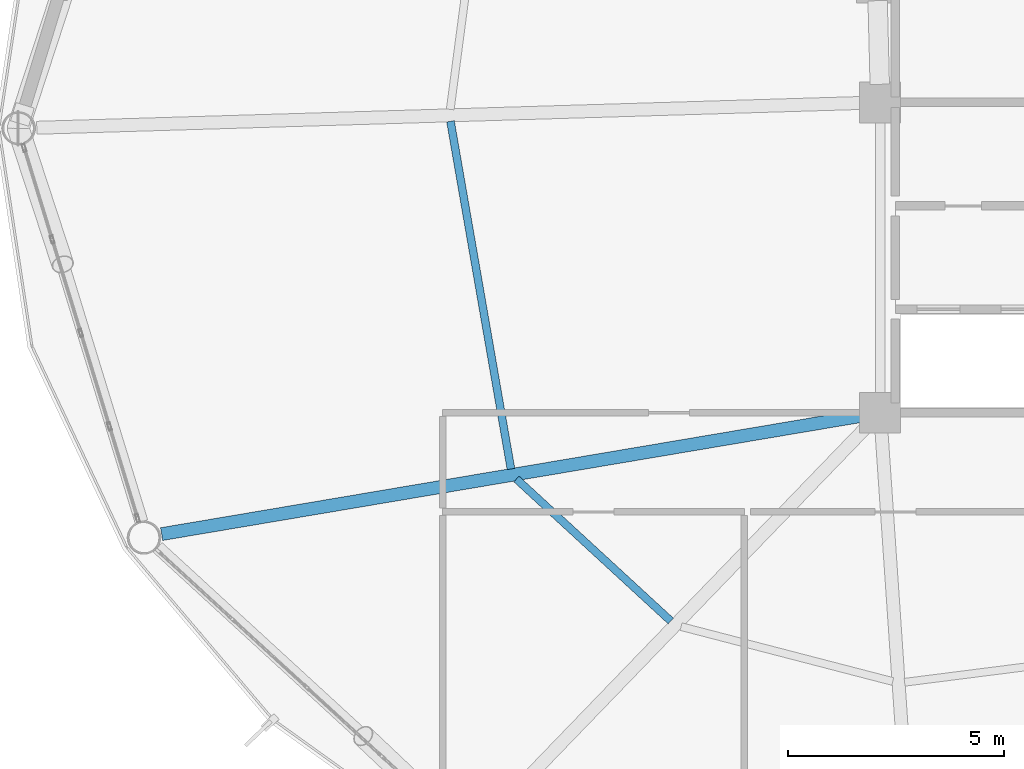
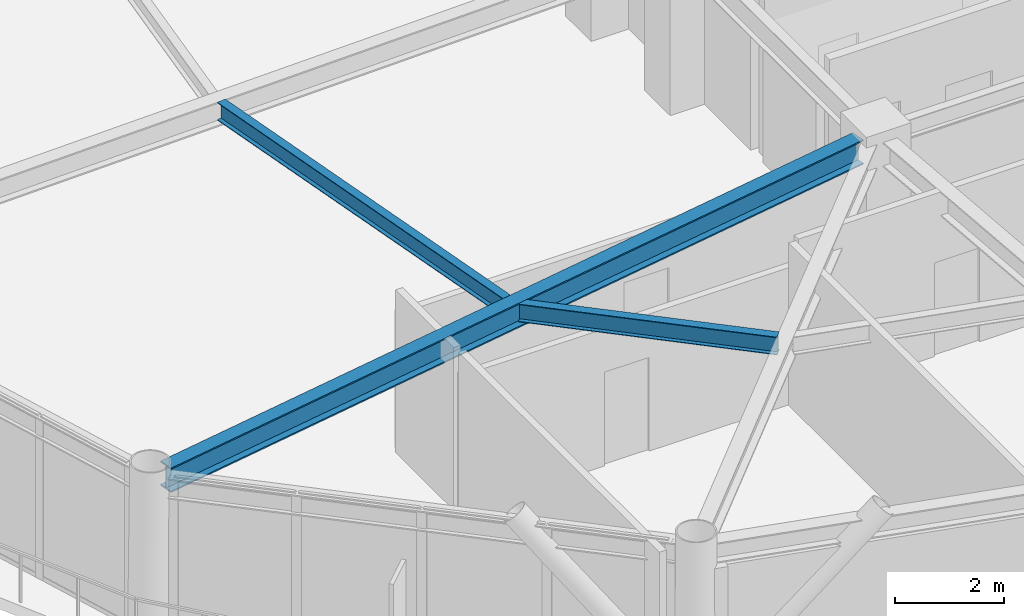
# One storey, part 6 of 25: 3 beams.
"""IFC4 building model written with IfcOpenShell, lengths in metres."""

from ifc_helpers import new_model, si_unit, direction, frame, origin, origin_2d, place, context, subcontext, project, spatial, i_section, extrude, material, material_profile, profile_set, type_object, element, save


model = new_model("IFC4")

# Units and contexts
model_context = context("Model", 3, precision=1e-05, world=origin(), true_north=direction((0.0, 1.0)))
body_context = subcontext(model_context, "Body", "Model", "MODEL_VIEW")
ifc_project = project(units=[si_unit("LENGTHUNIT", "METRE"), si_unit("AREAUNIT", "SQUARE_METRE"), si_unit("VOLUMEUNIT", "CUBIC_METRE"), si_unit("PLANEANGLEUNIT", "RADIAN"), si_unit("MASSUNIT", "GRAM", prefix="KILO")], contexts=[model_context])

# Site, building, storey
site_placement = place(None, origin())
site = spatial("IfcSite", under=ifc_project, at=site_placement, CompositionType="ELEMENT")
building_placement = place(site_placement, origin())
building = spatial("IfcBuilding", under=site, at=building_placement, Name="Varnakorn Sky Granary", CompositionType="ELEMENT")
storey_placement = place(building_placement, frame((0.0, 0.0, 146.10009765625)))
storey = spatial("IfcBuildingStorey", under=building, at=storey_placement, Name="L36", CompositionType="ELEMENT", Elevation=146.10009765625)

# Beams
ifc_material = material(Name="Steel S355JR", Category="steel")
ifc_material_profile_1 = material_profile(ifc_material, i_section(OverallWidth=0.300048828125, OverallDepth=0.550048828125, WebThickness=0.014892578125, FlangeThickness=0.029052734375, at=origin_2d()), Name="HE 550 B")
ifc_profile_set_1 = profile_set([ifc_material_profile_1], Name="Steel S355JR")
beam_type_1 = type_object("IfcBeamType", Name="BM-RAD-Z3", PredefinedType="BEAM", material=ifc_profile_set_1)
beam_1_placement = place(storey_placement, frame((-2.76416015625, -6.669921875, 3.364990234375), z_axis=(-0.986035815924, -0.166533389188, 0.0), x_axis=(0.166533389188, -0.986035815924, 0.0)))
element("IfcBeam", 1, at=beam_1_placement, inside=storey, type_object=beam_type_1, Name="Radial Floor Girder RG08 L36", PredefinedType="BEAM", context=body_context, shape_type="SweptSolid", body=[
    extrude(i_section(OverallWidth=0.300048828125, OverallDepth=0.550048828125, WebThickness=0.014892578125, FlangeThickness=0.029052734375, at=origin_2d()), origin(), (0.0, 0.0, 1.0), 16.48681640625),
])
ifc_material_profile_2 = material_profile(ifc_material, i_section(OverallWidth=0.179931640625, OverallDepth=0.39990234375, WebThickness=0.008544921875, FlangeThickness=0.013427734375, at=origin_2d()), Name="IPE 400")
ifc_profile_set_2 = profile_set([ifc_material_profile_2], Name="Steel S355JR")
beam_type_2 = type_object("IfcBeamType", Name="BM-SEC-Z3", PredefinedType="BEAM", material=ifc_profile_set_2)
beam_2_placement = place(storey_placement, frame((-12.319580078125, 0.161376953125, 3.43994140625), z_axis=(0.171372635599, -0.98520628285, 0.0), x_axis=(0.98520628285, 0.171372635599, 0.0)))
element("IfcBeam", 2, at=beam_2_placement, inside=storey, type_object=beam_type_2, Name="Secondary Floor Chord Beam MSB07 L36", PredefinedType="BEAM", context=body_context, shape_type="SweptSolid", body=[
    extrude(i_section(OverallWidth=0.179931640625, OverallDepth=0.39990234375, WebThickness=0.008544921875, FlangeThickness=0.013427734375, at=origin_2d()), origin(), (0.0, 0.0, 1.0), 8.187255859375),
])
beam_3_placement = place(storey_placement, frame((-10.789306640625, -8.137451171875, 3.43994140625), z_axis=(0.735924011024, -0.677064140239, 0.0), x_axis=(0.677064140239, 0.735924011024, 0.0)))
element("IfcBeam", 3, at=beam_3_placement, inside=storey, type_object=beam_type_2, Name="Secondary Floor Chord Beam MSB08 L36", PredefinedType="BEAM", context=body_context, shape_type="SweptSolid", body=[
    extrude(i_section(OverallWidth=0.179931640625, OverallDepth=0.39990234375, WebThickness=0.008544921875, FlangeThickness=0.013427734375, at=origin_2d()), origin(), (0.0, 0.0, 1.0), 4.865478515625),
])

save(model, "model.ifc")
